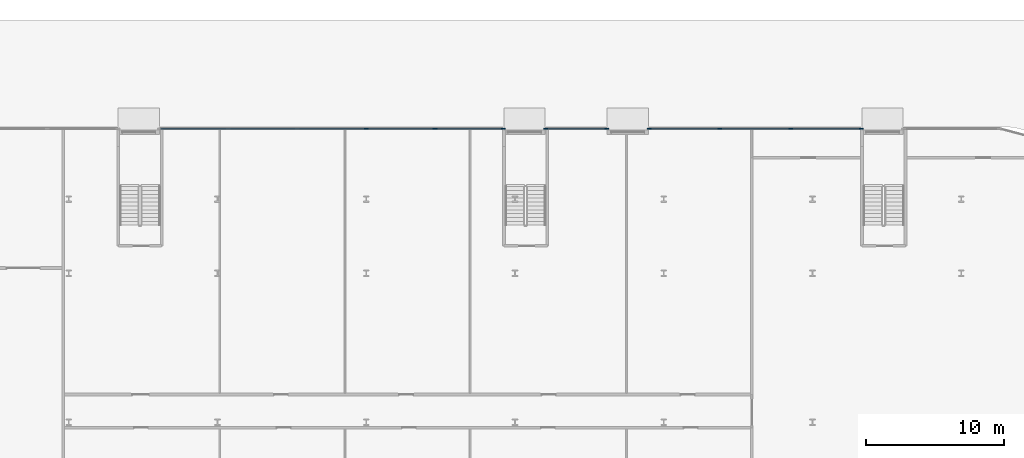
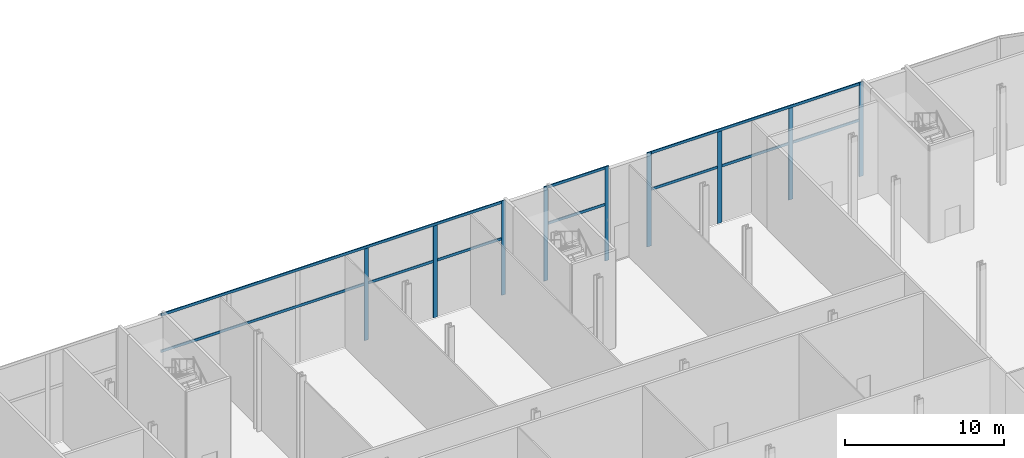
# One storey, part 15 of 46: 15 members, 3 elements without a shape of their own.
"""IFC4 building model written with IfcOpenShell, lengths in metres."""

import ifcopenshell
import ifcopenshell.guid

model = None  # the IFC model being written
_history = None  # IfcOwnerHistory: only IFC2X3 demands one
_inside = {}  # id of a spatial element -> (the spatial element, [elements in it])
_under = {}  # id of a project, library or spatial element -> (it, [spatial elements below it])
_declared = {}  # id of a project -> (the project, [libraries it declares])
_typed = {}  # id of a type object -> (the type object, [elements of that type])
_made_of = {}  # id of a material, layer set ... -> (it, [elements and type objects made of it])


def new_model(schema):
    """Start an empty IFC model of exactly this schema.

    Asked for "IFC4X3", IfcOpenShell would pick the latest addendum, in which some entities
    have other attributes; the version numbers below select the first issue.
    IFC2X3 requires an IfcOwnerHistory on every rooted entity: one is made here for all.
    """
    global model, _history
    if schema == "IFC4X3":
        model = ifcopenshell.file(schema_version=(4, 3, 0, 0))
    else:
        model = ifcopenshell.file(schema=schema)
    _inside.clear()
    _under.clear()
    _declared.clear()
    _typed.clear()
    _made_of.clear()
    _history = None
    if model.schema == "IFC2X3":
        org = make("IfcOrganization", Name="unknown")
        user = make(
            "IfcPersonAndOrganization",
            ThePerson=make("IfcPerson", FamilyName="unknown"),
            TheOrganization=org,
        )
        app = make(
            "IfcApplication",
            ApplicationDeveloper=org,
            Version="unknown",
            ApplicationFullName="unknown",
            ApplicationIdentifier="unknown",
        )
        _history = make(
            "IfcOwnerHistory",
            OwningUser=user,
            OwningApplication=app,
            ChangeAction="ADDED",
            CreationDate=0,
        )
    return model


def make(cls, **values):
    """One entity of the class cls with the attributes given. An attribute that is None is left unset."""
    return model.create_entity(
        cls, **{name: value for name, value in values.items() if value is not None}
    )


def rooted(cls, **values):
    """An entity with a GlobalId (a new one), such as an element, a storey or a relation."""
    return make(cls, GlobalId=ifcopenshell.guid.new(), OwnerHistory=_history, **values)


def si_unit(unit_type, name, prefix=None):
    """IfcSIUnit, for example si_unit("LENGTHUNIT", "METRE", prefix="MILLI")."""
    return make("IfcSIUnit", UnitType=unit_type, Prefix=prefix, Name=name)


def assignment(units):
    """IfcUnitAssignment: the units of a project."""
    return None if units is None else make("IfcUnitAssignment", Units=units)


def point(xyz):
    """IfcCartesianPoint."""
    return None if xyz is None else make("IfcCartesianPoint", Coordinates=xyz)


def direction(xyz):
    """IfcDirection."""
    return None if xyz is None else make("IfcDirection", DirectionRatios=xyz)


def frame(location, z_axis=None, x_axis=None):
    """IfcAxis2Placement3D, a coordinate frame: its origin and axes. An axis left out is left unset."""
    return make(
        "IfcAxis2Placement3D",
        Location=point(location),
        Axis=direction(z_axis),
        RefDirection=direction(x_axis),
    )


def frame_2d(location, x_axis=None):
    """IfcAxis2Placement2D, a coordinate frame in the plane: its origin and x axis."""
    return make(
        "IfcAxis2Placement2D", Location=point(location), RefDirection=direction(x_axis)
    )


def origin():
    """The frame at (0, 0, 0) with its axes left unset."""
    return frame((0.0, 0.0, 0.0))


def origin_2d():
    """The frame at (0, 0) in the plane with its x axis left unset."""
    return frame_2d((0.0, 0.0))


def place(relative_to, where):
    """IfcLocalPlacement: puts the frame where relative to a parent placement (None: the world)."""
    return make(
        "IfcLocalPlacement", PlacementRelTo=relative_to, RelativePlacement=where
    )


def context(
    kind, dimensions, precision=None, world=None, true_north=None, identifier=None
):
    """IfcGeometricRepresentationContext, for example the 3D "Model" context."""
    return make(
        "IfcGeometricRepresentationContext",
        ContextIdentifier=identifier,
        ContextType=kind,
        CoordinateSpaceDimension=dimensions,
        Precision=precision,
        WorldCoordinateSystem=world,
        TrueNorth=true_north,
    )


def subcontext(parent, identifier, kind, view, scale=None):
    """IfcGeometricRepresentationSubContext, for example "Body" below "Model"."""
    return make(
        "IfcGeometricRepresentationSubContext",
        ContextIdentifier=identifier,
        ContextType=kind,
        ParentContext=parent,
        TargetScale=scale,
        TargetView=view,
    )


def project(units=None, contexts=None):
    """IfcProject with its units and contexts."""
    return rooted(
        "IfcProject",
        Name="project",
        RepresentationContexts=contexts,
        UnitsInContext=assignment(units),
    )


def spatial(cls, under=None, at=None, **own):
    """A site, building, storey or space (cls), placed at a placement, below another one or the project."""
    s = rooted(cls, ObjectPlacement=at, **own)
    if under is not None:
        _under.setdefault(under.id(), (under, []))[1].append(s)
    return s


def profile(cls, at=None, kind="AREA", **sizes):
    """A parametric profile (cls). Its sizes go by their IFC names, for example OverallWidth=200.0."""
    return make(cls, ProfileType=kind, Position=at, **sizes)


def rectangle(**sizes):
    """IfcRectangleProfileDef."""
    return profile("IfcRectangleProfileDef", **sizes)


def extrude(swept, where, along, depth):
    """IfcExtrudedAreaSolid: the profile swept, set in the frame where, extruded along a direction by depth."""
    return make(
        "IfcExtrudedAreaSolid",
        SweptArea=swept,
        Position=where,
        ExtrudedDirection=direction(along),
        Depth=depth,
    )


def shape(context_of_items, identifier, shape_type, items):
    """IfcShapeRepresentation: the items that make up one representation, for example the "Body"."""
    return make(
        "IfcShapeRepresentation",
        ContextOfItems=context_of_items,
        RepresentationIdentifier=identifier,
        RepresentationType=shape_type,
        Items=items,
    )


def material(Name=None, Category=None):
    """IfcMaterial."""
    return make("IfcMaterial", Name=Name, Category=Category)


def layer(
    of_material, thickness, ventilated=None, Name=None, Category=None, Priority=None
):
    """IfcMaterialLayer: one layer of a wall or slab, of a material (None: an air gap)."""
    return make(
        "IfcMaterialLayer",
        Material=of_material,
        LayerThickness=thickness,
        IsVentilated=ventilated,
        Name=Name,
        Category=Category,
        Priority=Priority,
    )


def layer_set(layers, Name=None):
    """IfcMaterialLayerSet."""
    return make("IfcMaterialLayerSet", MaterialLayers=layers, LayerSetName=Name)


def material_profile(
    of_material, cross_section, Name=None, Category=None, Priority=None
):
    """IfcMaterialProfile: a cross section and its material."""
    return make(
        "IfcMaterialProfile",
        Name=Name,
        Material=of_material,
        Profile=cross_section,
        Priority=Priority,
        Category=Category,
    )


def profile_set(profiles, Name=None, composite=None):
    """IfcMaterialProfileSet."""
    return make(
        "IfcMaterialProfileSet",
        Name=Name,
        MaterialProfiles=profiles,
        CompositeProfile=composite,
    )


def made_of(thing, what):
    """Note that an element or type object is made of a material, layer set ...; save() writes the relation."""
    if what is not None:
        _made_of.setdefault(what.id(), (what, []))[1].append(thing)
    return thing


def type_object(cls, material=None, **own):
    """A type object (cls), such as IfcWallType, which elements share."""
    return made_of(rooted(cls, **own), material)


def element(
    cls,
    number,
    at=None,
    inside=None,
    cuts=None,
    type_object=None,
    material=None,
    context=None,
    identifier="Body",
    shape_type=None,
    held_by="IfcProductDefinitionShape",
    body=None,
    shapes=None,
    **own,
):
    """One element of the class cls, such as IfcWall. Its Tag is "e" and its number.

    at: its placement. inside: the storey or other place that contains it. cuts: it is an
    opening in that element (IfcRelVoidsElement). A single representation is given by context,
    identifier, shape_type and body (its items); several are given by shapes. held_by: the class
    of the entity that holds the representations. save() writes the other relations.
    """
    e = rooted(cls, Tag="e%d" % number, ObjectPlacement=at, **own)
    if body is not None:
        shapes = [shape(context, identifier, shape_type, body)]
    if shapes is not None:
        e.Representation = make(held_by, Representations=shapes)
    if inside is not None:
        _inside.setdefault(inside.id(), (inside, []))[1].append(e)
    if cuts is not None:
        rooted(
            "IfcRelVoidsElement", RelatingBuildingElement=cuts, RelatedOpeningElement=e
        )
    if type_object is not None:
        _typed.setdefault(type_object.id(), (type_object, []))[1].append(e)
    return made_of(e, material)


def aggregate(whole, parts):
    """IfcRelAggregates: a whole, such as a stair, and the parts it consists of."""
    return rooted("IfcRelAggregates", RelatingObject=whole, RelatedObjects=parts)


def save(model, path):
    """Write the relations noted so far, then the file.

    IfcRelAggregates (storeys below a building ...), IfcRelContainedInSpatialStructure (elements
    in a storey), IfcRelDefinesByType, IfcRelAssociatesMaterial and IfcRelDeclares: one each for
    every whole, place, type object, material and project.
    """
    for whole, parts in _under.values():
        aggregate(whole, parts)
    for where, things in _inside.values():
        rooted(
            "IfcRelContainedInSpatialStructure",
            RelatedElements=things,
            RelatingStructure=where,
        )
    for kind, things in _typed.values():
        rooted("IfcRelDefinesByType", RelatedObjects=things, RelatingType=kind)
    for what, things in _made_of.values():
        rooted("IfcRelAssociatesMaterial", RelatedObjects=things, RelatingMaterial=what)
    for by, libraries in _declared.values():
        rooted("IfcRelDeclares", RelatingContext=by, RelatedDefinitions=libraries)
    model.write(path)


model = new_model("IFC4")

# Units and contexts
model_context = context("Model", 3, precision=1e-05, world=origin(), true_north=direction((0.0, 1.0)))
body_context = subcontext(model_context, "Body", "Model", "MODEL_VIEW")
ifc_project = project(units=[si_unit("LENGTHUNIT", "METRE"), si_unit("AREAUNIT", "SQUARE_METRE"), si_unit("VOLUMEUNIT", "CUBIC_METRE"), si_unit("PLANEANGLEUNIT", "RADIAN"), si_unit("MASSUNIT", "GRAM", prefix="KILO")], contexts=[model_context])

# Site, building, storey
site_placement = place(None, origin())
site = spatial("IfcSite", under=ifc_project, at=site_placement, CompositionType="ELEMENT")
building_placement = place(site_placement, origin())
building = spatial("IfcBuilding", under=site, at=building_placement, Name="Kheshtan School and Residences Tower", CompositionType="ELEMENT")
storey_placement = place(building_placement, origin())
storey = spatial("IfcBuildingStorey", under=building, at=storey_placement, Name="L00", CompositionType="ELEMENT", Elevation=0.0)

# Curtain wall, members
ifc_material_1 = material(Name="Clear low-e glass in thermally broken aluminium frame", Category="aluminium")
ifc_layer = layer(ifc_material_1, 0.300048828125)
ifc_layer_set = layer_set([ifc_layer], Name="Curtain wall CW-A")
curtain_wall_type = type_object("IfcCurtainWallType", Name="Curtain wall CW-A", PredefinedType="NOTDEFINED", material=ifc_layer_set)
curtain_wall_1_placement = place(storey_placement, origin())
curtain_wall_1 = element("IfcCurtainWall", 1, at=curtain_wall_1_placement, inside=storey, type_object=curtain_wall_type, Name="Curtain wall CWA4c", PredefinedType="NOTDEFINED")
ifc_material_2 = material(Name="Thermally broken aluminium, dark bronze anodised", Category="aluminium")
ifc_material_profile_1 = material_profile(ifc_material_2, rectangle(XDim=0.074951171875, YDim=0.300048828125, at=origin_2d()), Name="CW-A mullion 75x300")
ifc_profile_set_1 = profile_set([ifc_material_profile_1], Name="Thermally broken aluminium, dark bronze anodised")
member_type_1 = type_object("IfcMemberType", Name="CW-A mullion 75x300", PredefinedType="MULLION", material=ifc_profile_set_1)
member_1_placement = place(storey_placement, frame((79.989990234375, 110.10009765625, 0.0), z_axis=(0.0, 0.0, 1.0), x_axis=(0.0, 1.0, 0.0)))
member_1 = element("IfcMember", 2, at=member_1_placement, type_object=member_type_1, Name="CWA4c mullion 4", PredefinedType="MULLION", context=body_context, shape_type="SweptSolid", body=[
    extrude(rectangle(XDim=0.074951171875, YDim=0.300048828125, at=origin_2d()), origin(), (0.0, 0.0, 1.0), 7.050048828125),
])
member_2_placement = place(storey_placement, frame((84.989990234375, 110.10009765625, 0.0), z_axis=(0.0, 0.0, 1.0), x_axis=(0.0, 1.0, 0.0)))
member_2 = element("IfcMember", 3, at=member_2_placement, type_object=member_type_1, Name="CWA4c mullion 5", PredefinedType="MULLION", context=body_context, shape_type="SweptSolid", body=[
    extrude(rectangle(XDim=0.074951171875, YDim=0.300048828125, at=origin_2d()), origin(), (0.0, 0.0, 1.0), 7.050048828125),
])
member_3_placement = place(storey_placement, frame((89.952392578125, 110.10009765625, 0.0), z_axis=(0.0, 0.0, 1.0), x_axis=(0.0, 1.0, 0.0)))
member_3 = element("IfcMember", 4, at=member_3_placement, type_object=member_type_1, Name="CWA4c mullion 6", PredefinedType="MULLION", context=body_context, shape_type="SweptSolid", body=[
    extrude(rectangle(XDim=0.074951171875, YDim=0.300048828125, at=origin_2d()), origin(), (0.0, 0.0, 1.0), 7.25),
])

curtain_wall_2_placement = place(storey_placement, origin())
curtain_wall_2 = element("IfcCurtainWall", 5, at=curtain_wall_2_placement, inside=storey, type_object=curtain_wall_type, Name="Curtain wall CWA4d", PredefinedType="NOTDEFINED")
member_4_placement = place(storey_placement, frame((93.027587890625, 110.10009765625, 0.0), z_axis=(0.0, 0.0, 1.0), x_axis=(0.0, 1.0, 0.0)))
member_4 = element("IfcMember", 6, at=member_4_placement, type_object=member_type_1, Name="CWA4d mullion 1", PredefinedType="MULLION", context=body_context, shape_type="SweptSolid", body=[
    extrude(rectangle(XDim=0.074951171875, YDim=0.300048828125, at=origin_2d()), origin(), (0.0, 0.0, 1.0), 7.25),
])
member_5_placement = place(storey_placement, frame((97.46240234375, 110.10009765625, 0.0), z_axis=(0.0, 0.0, 1.0), x_axis=(0.0, 1.0, 0.0)))
member_5 = element("IfcMember", 7, at=member_5_placement, type_object=member_type_1, Name="CWA4d mullion 2", PredefinedType="MULLION", context=body_context, shape_type="SweptSolid", body=[
    extrude(rectangle(XDim=0.074951171875, YDim=0.300048828125, at=origin_2d()), origin(), (0.0, 0.0, 1.0), 7.25),
])

curtain_wall_3_placement = place(storey_placement, origin())
curtain_wall_3 = element("IfcCurtainWall", 8, at=curtain_wall_3_placement, inside=storey, type_object=curtain_wall_type, Name="Curtain wall CWA4b", PredefinedType="NOTDEFINED")
member_6_placement = place(storey_placement, frame((100.53759765625, 110.10009765625, 0.0), z_axis=(0.0, 0.0, 1.0), x_axis=(0.0, 1.0, 0.0)))
member_6 = element("IfcMember", 9, at=member_6_placement, type_object=member_type_1, Name="CWA4b mullion 1", PredefinedType="MULLION", context=body_context, shape_type="SweptSolid", body=[
    extrude(rectangle(XDim=0.074951171875, YDim=0.300048828125, at=origin_2d()), origin(), (0.0, 0.0, 1.0), 7.25),
])
member_7_placement = place(storey_placement, frame((105.663330078125, 110.10009765625, 0.0), z_axis=(0.0, 0.0, 1.0), x_axis=(0.0, 1.0, 0.0)))
member_7 = element("IfcMember", 10, at=member_7_placement, type_object=member_type_1, Name="CWA4b mullion 2", PredefinedType="MULLION", context=body_context, shape_type="SweptSolid", body=[
    extrude(rectangle(XDim=0.074951171875, YDim=0.300048828125, at=origin_2d()), origin(), (0.0, 0.0, 1.0), 7.050048828125),
])
member_8_placement = place(storey_placement, frame((110.82666015625, 110.10009765625, 0.0), z_axis=(0.0, 0.0, 1.0), x_axis=(0.0, 1.0, 0.0)))
member_8 = element("IfcMember", 11, at=member_8_placement, type_object=member_type_1, Name="CWA4b mullion 3", PredefinedType="MULLION", context=body_context, shape_type="SweptSolid", body=[
    extrude(rectangle(XDim=0.074951171875, YDim=0.300048828125, at=origin_2d()), origin(), (0.0, 0.0, 1.0), 7.050048828125),
])
member_9_placement = place(storey_placement, frame((115.952392578125, 110.10009765625, 0.0), z_axis=(0.0, 0.0, 1.0), x_axis=(0.0, 1.0, 0.0)))
member_9 = element("IfcMember", 12, at=member_9_placement, type_object=member_type_1, Name="CWA4b mullion 4", PredefinedType="MULLION", context=body_context, shape_type="SweptSolid", body=[
    extrude(rectangle(XDim=0.074951171875, YDim=0.300048828125, at=origin_2d()), origin(), (0.0, 0.0, 1.0), 7.25),
])

# Member
ifc_material_profile_2 = material_profile(ifc_material_2, rectangle(XDim=0.074951171875, YDim=0.199951171875, at=origin_2d()), Name="CW-A transom 75x200")
ifc_profile_set_2 = profile_set([ifc_material_profile_2], Name="Thermally broken aluminium, dark bronze anodised")
member_type_2 = type_object("IfcMemberType", Name="CW-A transom 75x200", PredefinedType="USERDEFINED", material=ifc_profile_set_2)
member_10_placement = place(storey_placement, frame((65.06494140625, 110.10009765625, 4.35009765625), z_axis=(1.0, 0.0, 0.0), x_axis=(0.0, 1.0, 0.0)))
member_10 = element("IfcMember", 13, at=member_10_placement, type_object=member_type_2, Name="CWA4c transom 1", ObjectType="TRANSOM", PredefinedType="USERDEFINED", context=body_context, shape_type="SweptSolid", body=[
    extrude(rectangle(XDim=0.074951171875, YDim=0.199951171875, at=origin_2d()), origin(), (0.0, 0.0, 1.0), 24.85009765625),
])

member_11_placement = place(storey_placement, frame((65.06494140625, 110.10009765625, 7.14990234375), z_axis=(1.0, 0.0, 0.0), x_axis=(0.0, 1.0, 0.0)))
member_11 = element("IfcMember", 14, at=member_11_placement, type_object=member_type_2, Name="CWA4c transom 2", ObjectType="TRANSOM", PredefinedType="USERDEFINED", context=body_context, shape_type="SweptSolid", body=[
    extrude(rectangle(XDim=0.074951171875, YDim=0.199951171875, at=origin_2d()), origin(), (0.0, 0.0, 1.0), 24.85009765625),
])

aggregate(curtain_wall_1, [member_1, member_2, member_3, member_10, member_11])

member_12_placement = place(storey_placement, frame((93.06494140625, 110.10009765625, 4.35009765625), z_axis=(1.0, 0.0, 0.0), x_axis=(0.0, 1.0, 0.0)))
member_12 = element("IfcMember", 15, at=member_12_placement, type_object=member_type_2, Name="CWA4d transom 1", ObjectType="TRANSOM", PredefinedType="USERDEFINED", context=body_context, shape_type="SweptSolid", body=[
    extrude(rectangle(XDim=0.074951171875, YDim=0.199951171875, at=origin_2d()), origin(), (0.0, 0.0, 1.0), 4.360107421875),
])

member_13_placement = place(storey_placement, frame((93.06494140625, 110.10009765625, 7.14990234375), z_axis=(1.0, 0.0, 0.0), x_axis=(0.0, 1.0, 0.0)))
member_13 = element("IfcMember", 16, at=member_13_placement, type_object=member_type_2, Name="CWA4d transom 2", ObjectType="TRANSOM", PredefinedType="USERDEFINED", context=body_context, shape_type="SweptSolid", body=[
    extrude(rectangle(XDim=0.074951171875, YDim=0.199951171875, at=origin_2d()), origin(), (0.0, 0.0, 1.0), 4.360107421875),
])

aggregate(curtain_wall_2, [member_4, member_5, member_12, member_13])

member_14_placement = place(storey_placement, frame((100.574951171875, 110.10009765625, 4.35009765625), z_axis=(1.0, 0.0, 0.0), x_axis=(0.0, 1.0, 0.0)))
member_14 = element("IfcMember", 17, at=member_14_placement, type_object=member_type_2, Name="CWA4b transom 1", ObjectType="TRANSOM", PredefinedType="USERDEFINED", context=body_context, shape_type="SweptSolid", body=[
    extrude(rectangle(XDim=0.074951171875, YDim=0.199951171875, at=origin_2d()), origin(), (0.0, 0.0, 1.0), 15.340087890625),
])

member_15_placement = place(storey_placement, frame((100.574951171875, 110.10009765625, 7.14990234375), z_axis=(1.0, 0.0, 0.0), x_axis=(0.0, 1.0, 0.0)))
member_15 = element("IfcMember", 18, at=member_15_placement, type_object=member_type_2, Name="CWA4b transom 2", ObjectType="TRANSOM", PredefinedType="USERDEFINED", context=body_context, shape_type="SweptSolid", body=[
    extrude(rectangle(XDim=0.074951171875, YDim=0.199951171875, at=origin_2d()), origin(), (0.0, 0.0, 1.0), 15.340087890625),
])

aggregate(curtain_wall_3, [member_6, member_7, member_8, member_9, member_14, member_15])

save(model, "model.ifc")
